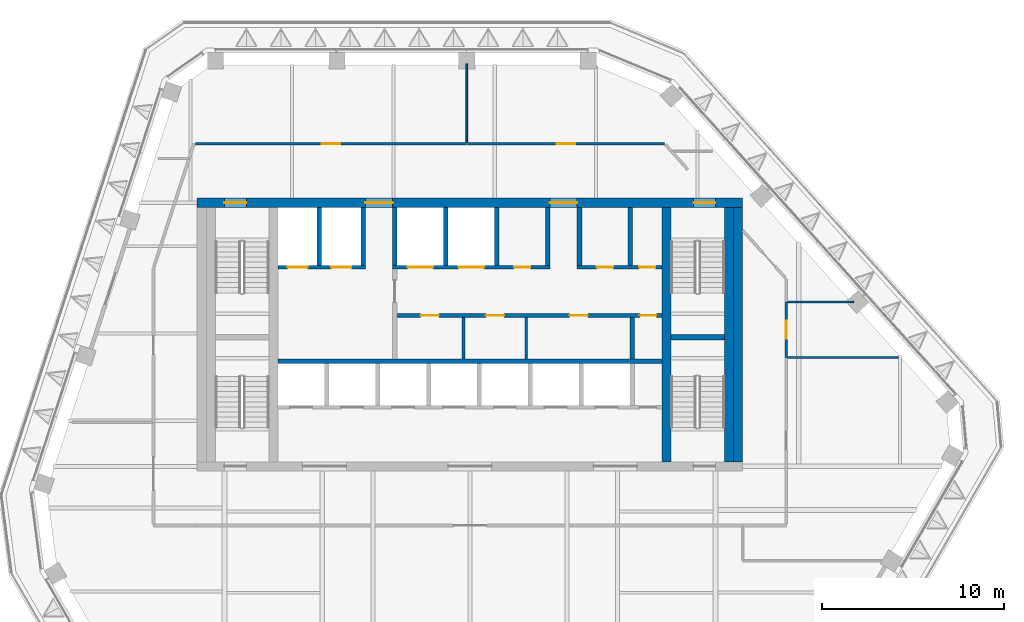
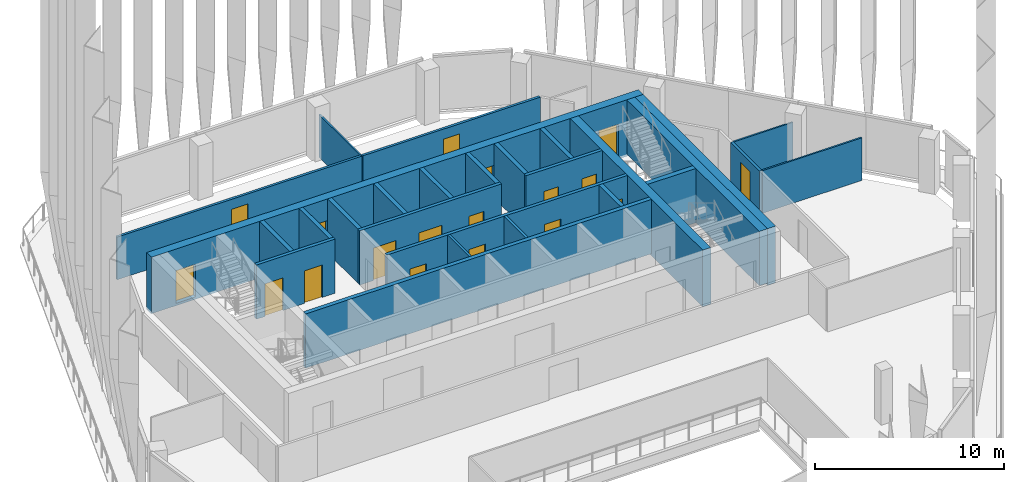
# One storey, part 9 of 21: 27 walls, 18 doors, 18 openings.
"""IFC4 building model written with IfcOpenShell, lengths in metres."""

from ifc_helpers import new_model, si_unit, direction, frame, frame_2d, origin, place, context, subcontext, project, spatial, rectangle, extrude, material, layer, layer_set, type_object, element, fill, save


model = new_model("IFC4")

# Units and contexts
model_context = context("Model", 3, precision=1e-05, world=origin(), true_north=direction((0.0, 1.0)))
body_context = subcontext(model_context, "Body", "Model", "MODEL_VIEW")
ifc_project = project(units=[si_unit("LENGTHUNIT", "METRE"), si_unit("AREAUNIT", "SQUARE_METRE"), si_unit("VOLUMEUNIT", "CUBIC_METRE"), si_unit("PLANEANGLEUNIT", "RADIAN"), si_unit("MASSUNIT", "GRAM", prefix="KILO")], contexts=[model_context])

# Site, building, storey
site_placement = place(None, origin())
site = spatial("IfcSite", under=ifc_project, at=site_placement, CompositionType="ELEMENT")
building_placement = place(site_placement, origin())
building = spatial("IfcBuilding", under=site, at=building_placement, Name="Isthmus Gate Tower", CompositionType="ELEMENT")
storey_placement = place(building_placement, frame((0.0, 0.0, 260.949951171875)))
storey = spatial("IfcBuildingStorey", under=building, at=storey_placement, Name="L66", CompositionType="ELEMENT", Elevation=260.949951171875)

# Wall, opening, door
ifc_material_1 = material(Name="Gypsum board on steel studs, fire-rated", Category="steel")
ifc_layer_1 = layer(ifc_material_1, 0.14990234375)
ifc_layer_set_1 = layer_set([ifc_layer_1], Name="CORRIDOR WALL 150 60 MIN")
wall_type_1 = type_object("IfcWallType", Name="CORRIDOR WALL 150 60 MIN", PredefinedType="PARTITIONING", material=ifc_layer_set_1)
wall_1_placement = place(storey_placement, frame((17.39990234375, 9.2900390625, 0.0), z_axis=(0.0, 0.0, 1.0), x_axis=(0.0, -1.0, 0.0)))
wall_1 = element("IfcWall", 1, at=wall_1_placement, inside=storey, type_object=wall_type_1, Name="L66 Corridor Wall 150 60 Min", PredefinedType="PARTITIONING", context=body_context, shape_type="SweptSolid", body=[
    extrude(rectangle(XDim=3.052978515625, YDim=0.14990234375, at=frame_2d((1.5263671875, 0.0))), origin(), (0.0, 0.0, 1.0), 2.750732421875),
])
opening_1_placement = place(wall_1_placement, frame((1.026611328125, 0.0, 0.0)))
opening_1 = element("IfcOpeningElement", 2, at=opening_1_placement, cuts=wall_1, Name="Opening DT-T6A-05", PredefinedType="OPENING", context=body_context, shape_type="SweptSolid", body=[
    extrude(rectangle(XDim=1.0, YDim=2.10009765625, at=frame_2d((0.5, 1.050048828125))), frame((0.0, 0.0849609375, 0.0), z_axis=(0.0, -1.0, 0.0), x_axis=(1.0, 0.0, 0.0)), (0.0, 0.0, 1.0), 0.169921875),
])
ifc_material_2 = material(Name="Solid core timber door leaf, fire-rated", Category="wood")
door_type_1 = type_object("IfcDoorType", Name="FIRE DOOR ROOM 1000 X 2100 60 MIN", OperationType="SINGLE_SWING_LEFT", PredefinedType="DOOR", material=ifc_material_2)
door_1_placement = place(opening_1_placement, origin())
door_1 = element("IfcDoor", 3, at=door_1_placement, inside=storey, type_object=door_type_1, Name="L66 room door", OperationType="SINGLE_SWING_RIGHT", OverallHeight=2.10009765625, OverallWidth=1.0, PredefinedType="DOOR", context=body_context, shape_type="SweptSolid", body=[
    extrude(rectangle(XDim=1.0, YDim=2.10009765625, at=frame_2d((0.5, 1.050048828125))), frame((0.0, 0.02490234375, 0.0), z_axis=(0.0, -1.0, 0.0), x_axis=(1.0, 0.0, 0.0)), (0.0, 0.0, 1.0), 0.050048828125),
])
fill(opening_1, door_1)

wall_2_placement = place(storey_placement, frame((-15.10302734375, 18.0, 0.0), z_axis=(0.0, 0.0, 1.0), x_axis=(1.0, 0.0, 0.0)))
wall_2 = element("IfcWall", 4, at=wall_2_placement, inside=storey, type_object=wall_type_1, Name="L66 Corridor Wall 150 60 Min", PredefinedType="PARTITIONING", context=body_context, shape_type="SweptSolid", body=[
    extrude(rectangle(XDim=14.927978515625, YDim=0.14990234375, at=frame_2d((7.4638671875, 0.0))), origin(), (0.0, 0.0, 1.0), 2.750732421875),
])
opening_2_placement = place(wall_2_placement, frame((6.964111328125, 0.0, 0.0)))
opening_2 = element("IfcOpeningElement", 5, at=opening_2_placement, cuts=wall_2, Name="Opening DT-T6A-01", PredefinedType="OPENING", context=body_context, shape_type="SweptSolid", body=[
    extrude(rectangle(XDim=1.0, YDim=2.10009765625, at=frame_2d((0.5, 1.050048828125))), frame((0.0, 0.0849609375, 0.0), z_axis=(0.0, -1.0, 0.0), x_axis=(1.0, 0.0, 0.0)), (0.0, 0.0, 1.0), 0.169921875),
])
door_2_placement = place(opening_2_placement, origin())
door_2 = element("IfcDoor", 6, at=door_2_placement, inside=storey, type_object=door_type_1, Name="L66 room door", OperationType="SINGLE_SWING_RIGHT", OverallHeight=2.10009765625, OverallWidth=1.0, PredefinedType="DOOR", context=body_context, shape_type="SweptSolid", body=[
    extrude(rectangle(XDim=1.0, YDim=2.10009765625, at=frame_2d((0.5, 1.050048828125))), frame((0.0, 0.02490234375, 0.0), z_axis=(0.0, -1.0, 0.0), x_axis=(1.0, 0.0, 0.0)), (0.0, 0.0, 1.0), 0.050048828125),
])
fill(opening_2, door_2)

wall_3_placement = place(storey_placement, frame((-0.125, 18.0, 0.0), z_axis=(0.0, 0.0, 1.0), x_axis=(1.0, 0.0, 0.0)))
wall_3 = element("IfcWall", 7, at=wall_3_placement, inside=storey, type_object=wall_type_1, Name="L66 Corridor Wall 150 60 Min", PredefinedType="PARTITIONING", context=body_context, shape_type="SweptSolid", body=[
    extrude(rectangle(XDim=10.826904296875, YDim=0.14990234375, at=frame_2d((5.41357421875, 0.0))), origin(), (0.0, 0.0, 1.0), 2.750732421875),
])
opening_3_placement = place(wall_3_placement, frame((4.91357421875, 0.0, 0.0)))
opening_3 = element("IfcOpeningElement", 8, at=opening_3_placement, cuts=wall_3, Name="Opening DT-T6A-02", PredefinedType="OPENING", context=body_context, shape_type="SweptSolid", body=[
    extrude(rectangle(XDim=1.0, YDim=2.10009765625, at=frame_2d((0.5, 1.050048828125))), frame((0.0, 0.0849609375, 0.0), z_axis=(0.0, -1.0, 0.0), x_axis=(1.0, 0.0, 0.0)), (0.0, 0.0, 1.0), 0.169921875),
])
door_3_placement = place(opening_3_placement, origin())
door_3 = element("IfcDoor", 9, at=door_3_placement, inside=storey, type_object=door_type_1, Name="L66 room door", OperationType="SINGLE_SWING_RIGHT", OverallHeight=2.10009765625, OverallWidth=1.0, PredefinedType="DOOR", context=body_context, shape_type="SweptSolid", body=[
    extrude(rectangle(XDim=1.0, YDim=2.10009765625, at=frame_2d((0.5, 1.050048828125))), frame((0.0, 0.02490234375, 0.0), z_axis=(0.0, -1.0, 0.0), x_axis=(1.0, 0.0, 0.0)), (0.0, 0.0, 1.0), 0.050048828125),
])
fill(opening_3, door_3)

# Wall
ifc_material_3 = material(Name="Concrete f'c 50 MPa", Category="concrete")
ifc_layer_2 = layer(ifc_material_3, 0.5)
ifc_layer_set_2 = layer_set([ifc_layer_2], Name="RC CORE SPINE WALL 500 F'C 50")
wall_type_2 = type_object("IfcWallType", Name="RC CORE SPINE WALL 500 F'C 50", PredefinedType="SOLIDWALL", material=ifc_layer_set_2)
wall_4_placement = place(storey_placement, frame((10.800048828125, 0.5, -0.14990234375), z_axis=(0.0, 0.0, 1.0), x_axis=(0.0, 1.0, 0.0)))
element("IfcWall", 10, at=wall_4_placement, inside=storey, type_object=wall_type_2, Name="str-corewall-L66-SPE", PredefinedType="SOLIDWALL", context=body_context, shape_type="SweptSolid", body=[
    extrude(rectangle(XDim=14.0, YDim=0.5, at=frame_2d((7.0, 0.0))), origin(), (0.0, 0.0, 1.0), 3.64990234375),
])

# Wall, openings, doors
ifc_material_4 = material(Name="Concrete f'c 50 MPa", Category="concrete")
ifc_layer_3 = layer(ifc_material_4, 0.5)
ifc_layer_set_3 = layer_set([ifc_layer_3], Name="RC CORE WALL 500 F'C 50")
wall_type_3 = type_object("IfcWallType", Name="RC CORE WALL 500 F'C 50", PredefinedType="SOLIDWALL", material=ifc_layer_set_3)
wall_5_placement = place(storey_placement, frame((-15.0, 14.75, -0.14990234375), z_axis=(0.0, 0.0, 1.0), x_axis=(1.0, 0.0, 0.0)))
wall_5 = element("IfcWall", 11, at=wall_5_placement, inside=storey, type_object=wall_type_3, Name="str-corewall-L66-N", PredefinedType="SOLIDWALL", context=body_context, shape_type="SweptSolid", body=[
    extrude(rectangle(XDim=30.0, YDim=0.5, at=frame_2d((15.0, 0.0))), origin(), (0.0, 0.0, 1.0), 3.64990234375),
])
opening_4_placement = place(wall_5_placement, frame((9.25, 0.0, 0.14990234375)))
opening_4 = element("IfcOpeningElement", 12, at=opening_4_placement, cuts=wall_5, Name="Opening DC-A20-13", PredefinedType="OPENING", context=body_context, shape_type="SweptSolid", body=[
    extrude(rectangle(XDim=1.5, YDim=2.10009765625, at=frame_2d((0.75, 1.050048828125))), frame((0.0, 0.260009765625, 0.0), z_axis=(0.0, -1.0, 0.0), x_axis=(1.0, 0.0, 0.0)), (0.0, 0.0, 1.0), 0.52001953125),
])
opening_5_placement = place(wall_5_placement, frame((19.39990234375, 0.0, 0.14990234375)))
opening_5 = element("IfcOpeningElement", 13, at=opening_5_placement, cuts=wall_5, Name="Opening DC-A20-14", PredefinedType="OPENING", context=body_context, shape_type="SweptSolid", body=[
    extrude(rectangle(XDim=1.5, YDim=2.10009765625, at=frame_2d((0.75, 1.050048828125))), frame((0.0, 0.260009765625, 0.0), z_axis=(0.0, -1.0, 0.0), x_axis=(1.0, 0.0, 0.0)), (0.0, 0.0, 1.0), 0.52001953125),
])
opening_6_placement = place(wall_5_placement, frame((1.5, 0.0, 0.14990234375)))
opening_6 = element("IfcOpeningElement", 14, at=opening_6_placement, cuts=wall_5, Name="Opening DC-A20-15", PredefinedType="OPENING", context=body_context, shape_type="SweptSolid", body=[
    extrude(rectangle(XDim=1.199951171875, YDim=2.10009765625, at=frame_2d((0.60009765625, 1.050048828125))), frame((0.0, 0.260009765625, 0.0), z_axis=(0.0, -1.0, 0.0), x_axis=(1.0, 0.0, 0.0)), (0.0, 0.0, 1.0), 0.52001953125),
])
opening_7_placement = place(wall_5_placement, frame((27.300048828125, 0.0, 0.14990234375)))
opening_7 = element("IfcOpeningElement", 15, at=opening_7_placement, cuts=wall_5, Name="Opening DC-A20-16", PredefinedType="OPENING", context=body_context, shape_type="SweptSolid", body=[
    extrude(rectangle(XDim=1.199951171875, YDim=2.10009765625, at=frame_2d((0.60009765625, 1.050048828125))), frame((0.0, 0.260009765625, 0.0), z_axis=(0.0, -1.0, 0.0), x_axis=(1.0, 0.0, 0.0)), (0.0, 0.0, 1.0), 0.52001953125),
])
ifc_material_5 = material(Name="Steel door leaf, fire-rated", Category="steel")
door_type_2 = type_object("IfcDoorType", Name="LOBBY FIRE DOOR 1500 X 2100 60 MIN", OperationType="DOUBLE_DOOR_SINGLE_SWING", PredefinedType="DOOR", material=ifc_material_5)
door_4_placement = place(opening_5_placement, origin())
door_4 = element("IfcDoor", 16, at=door_4_placement, inside=storey, type_object=door_type_2, Name="Lobby Door PN-E", OperationType="DOUBLE_DOOR_SINGLE_SWING", OverallHeight=2.10009765625, OverallWidth=1.5, PredefinedType="DOOR", context=body_context, shape_type="SweptSolid", body=[
    extrude(rectangle(XDim=1.5, YDim=2.10009765625, at=frame_2d((0.75, 1.050048828125))), frame((0.0, 0.02490234375, 0.0), z_axis=(0.0, -1.0, 0.0), x_axis=(1.0, 0.0, 0.0)), (0.0, 0.0, 1.0), 0.050048828125),
])
fill(opening_5, door_4)
ifc_material_6 = material(Name="Steel door leaf, fire-rated", Category="steel")
door_type_3 = type_object("IfcDoorType", Name="LOBBY FIRE DOOR 1500 X 2100 90 MIN", OperationType="DOUBLE_DOOR_SINGLE_SWING", PredefinedType="DOOR", material=ifc_material_6)
door_5_placement = place(opening_4_placement, origin())
door_5 = element("IfcDoor", 17, at=door_5_placement, inside=storey, type_object=door_type_3, Name="Lobby Door PN-W", OperationType="DOUBLE_DOOR_SINGLE_SWING", OverallHeight=2.10009765625, OverallWidth=1.5, PredefinedType="DOOR", context=body_context, shape_type="SweptSolid", body=[
    extrude(rectangle(XDim=1.5, YDim=2.10009765625, at=frame_2d((0.75, 1.050048828125))), frame((0.0, 0.02490234375, 0.0), z_axis=(0.0, -1.0, 0.0), x_axis=(1.0, 0.0, 0.0)), (0.0, 0.0, 1.0), 0.050048828125),
])
fill(opening_4, door_5)
ifc_material_7 = material(Name="Steel door leaf, fire-rated", Category="steel")
door_type_4 = type_object("IfcDoorType", Name="STAIR FIRE DOOR 1200 X 2100 90 MIN", OperationType="SINGLE_SWING_LEFT", PredefinedType="DOOR", material=ifc_material_7)
door_6_placement = place(opening_6_placement, origin())
door_6 = element("IfcDoor", 18, at=door_6_placement, inside=storey, type_object=door_type_4, Name="Exit Stair 1 Door", OperationType="SINGLE_SWING_RIGHT", OverallHeight=2.10009765625, OverallWidth=1.199951171875, PredefinedType="DOOR", context=body_context, shape_type="SweptSolid", body=[
    extrude(rectangle(XDim=1.199951171875, YDim=2.10009765625, at=frame_2d((0.60009765625, 1.050048828125))), frame((0.0, 0.02490234375, 0.0), z_axis=(0.0, -1.0, 0.0), x_axis=(1.0, 0.0, 0.0)), (0.0, 0.0, 1.0), 0.050048828125),
])
fill(opening_6, door_6)
door_7_placement = place(opening_7_placement, origin())
door_7 = element("IfcDoor", 19, at=door_7_placement, inside=storey, type_object=door_type_4, Name="Exit Stair 2 Door", OperationType="SINGLE_SWING_LEFT", OverallHeight=2.10009765625, OverallWidth=1.199951171875, PredefinedType="DOOR", context=body_context, shape_type="SweptSolid", body=[
    extrude(rectangle(XDim=1.199951171875, YDim=2.10009765625, at=frame_2d((0.60009765625, 1.050048828125))), frame((0.0, 0.02490234375, 0.0), z_axis=(0.0, -1.0, 0.0), x_axis=(1.0, 0.0, 0.0)), (0.0, 0.0, 1.0), 0.050048828125),
])
fill(opening_7, door_7)

# Walls
wall_6_placement = place(storey_placement, frame((14.75, 0.5, -0.14990234375), z_axis=(0.0, 0.0, 1.0), x_axis=(0.0, 1.0, 0.0)))
element("IfcWall", 20, at=wall_6_placement, inside=storey, type_object=wall_type_3, Name="str-corewall-L66-E", PredefinedType="SOLIDWALL", context=body_context, shape_type="SweptSolid", body=[
    extrude(rectangle(XDim=14.0, YDim=0.5, at=frame_2d((7.0, 0.0))), origin(), (0.0, 0.0, 1.0), 3.64990234375),
])
ifc_material_8 = material(Name="Gypsum board on steel studs, fire-rated", Category="steel")
ifc_layer_4 = layer(ifc_material_8, 0.10009765625)
ifc_layer_set_4 = layer_set([ifc_layer_4], Name="ROOM PARTITION 100 30 MIN")
wall_type_4 = type_object("IfcWallType", Name="ROOM PARTITION 100 30 MIN", PredefinedType="PARTITIONING", material=ifc_layer_set_4)
wall_7_placement = place(storey_placement, frame((-0.175048828125, 18.074951171875, 0.0), z_axis=(0.0, 0.0, 1.0), x_axis=(0.0, 1.0, 0.0)))
element("IfcWall", 21, at=wall_7_placement, inside=storey, type_object=wall_type_4, Name="L66 Room Partition 100 30 Min", PredefinedType="PARTITIONING", context=body_context, shape_type="SweptSolid", body=[
    extrude(rectangle(XDim=4.324951171875, YDim=0.10009765625, at=frame_2d((2.16259765625, 0.0))), origin(), (0.0, 0.0, 1.0), 2.750732421875),
])
wall_8_placement = place(storey_placement, frame((17.47509765625, 9.2900390625, 0.0), z_axis=(0.0, 0.0, 1.0), x_axis=(1.0, 0.0, 0.0)))
element("IfcWall", 22, at=wall_8_placement, inside=storey, type_object=wall_type_4, Name="L66 Room Partition 100 30 Min", PredefinedType="PARTITIONING", context=body_context, shape_type="SweptSolid", body=[
    extrude(rectangle(XDim=3.6259765625, YDim=0.10009765625, at=frame_2d((1.81298828125, 0.0))), origin(), (0.0, 0.0, 1.0), 2.750732421875),
])
wall_9_placement = place(storey_placement, frame((17.47509765625, 6.237060546875, 0.0), z_axis=(0.0, 0.0, 1.0), x_axis=(1.0, 0.0, 0.0)))
element("IfcWall", 23, at=wall_9_placement, inside=storey, type_object=wall_type_4, Name="L66 Room Partition 100 30 Min", PredefinedType="PARTITIONING", context=body_context, shape_type="SweptSolid", body=[
    extrude(rectangle(XDim=6.074951171875, YDim=0.10009765625, at=frame_2d((3.03759765625, 0.0))), origin(), (0.0, 0.0, 1.0), 2.750732421875),
])
ifc_material_9 = material(Name="Gypsum board on steel studs, fire-rated", Category="steel")
ifc_layer_5 = layer(ifc_material_9, 0.14990234375)
ifc_layer_set_5 = layer_set([ifc_layer_5], Name="ROOM PARTITION 150 60 MIN")
wall_type_5 = type_object("IfcWallType", Name="ROOM PARTITION 150 60 MIN", PredefinedType="PARTITIONING", material=ifc_layer_set_5)
for number, where, z_axis, x_axis, name in (
    (24, (-0.35009765625, 6.14990234375, 0.0), (0.0, 0.0, 1.0), (0.0, 1.0, 0.0), "L66 ROOM PARTITION 150 60 MIN"),
    (25, (3.10009765625, 6.14990234375, 0.0), (0.0, 0.0, 1.0), (0.0, 1.0, 0.0), "L66 ROOM PARTITION 150 60 MIN"),
):
    element("IfcWall", number, at=place(storey_placement, frame(where, z_axis=z_axis, x_axis=x_axis)), inside=storey, type_object=wall_type_5, Name=name, PredefinedType="PARTITIONING", context=body_context, shape_type="SweptSolid", body=[
        extrude(rectangle(XDim=2.300048828125, YDim=0.14990234375, at=frame_2d((1.14990234375, 0.0))), origin(), (0.0, 0.0, 1.0), 3.5),
    ])

# Wall, openings, doors
ifc_material_10 = material(Name="Fire-rated blockwork masonry, 15 MPa", Category="masonry")
ifc_layer_6 = layer(ifc_material_10, 0.199951171875)
ifc_layer_set_6 = layer_set([ifc_layer_6], Name="SHAFT FRONT WALL 200 120 MIN")
wall_type_6 = type_object("IfcWallType", Name="SHAFT FRONT WALL 200 120 MIN", PredefinedType="PARTITIONING", material=ifc_layer_set_6)
wall_10_placement = place(storey_placement, frame((-4.125, 8.550048828125, 0.0), z_axis=(0.0, 0.0, 1.0), x_axis=(1.0, 0.0, 0.0)))
wall_10 = element("IfcWall", 26, at=wall_10_placement, inside=storey, type_object=wall_type_6, Name="L66 SHAFT FRONT WALL 200 120 MIN", PredefinedType="PARTITIONING", context=body_context, shape_type="SweptSolid", body=[
    extrude(rectangle(XDim=14.675048828125, YDim=0.199951171875, at=frame_2d((7.33740234375, 0.0))), origin(), (0.0, 0.0, 1.0), 3.5),
])
opening_8_placement = place(wall_10_placement, frame((1.41259765625, 0.0, 0.0)))
opening_8 = element("IfcOpeningElement", 27, at=opening_8_placement, cuts=wall_10, Name="Opening DC-A20-03", PredefinedType="OPENING", context=body_context, shape_type="SweptSolid", body=[
    extrude(rectangle(XDim=1.0, YDim=2.10009765625, at=frame_2d((0.5, 1.050048828125))), frame((0.0, 0.10986328125, 0.0), z_axis=(0.0, -1.0, 0.0), x_axis=(1.0, 0.0, 0.0)), (0.0, 0.0, 1.0), 0.219970703125),
])
opening_9_placement = place(wall_10_placement, frame((5.0, 0.0, 0.0)))
opening_9 = element("IfcOpeningElement", 28, at=opening_9_placement, cuts=wall_10, Name="Opening DC-A20-04", PredefinedType="OPENING", context=body_context, shape_type="SweptSolid", body=[
    extrude(rectangle(XDim=1.0, YDim=2.10009765625, at=frame_2d((0.5, 1.050048828125))), frame((0.0, 0.10986328125, 0.0), z_axis=(0.0, -1.0, 0.0), x_axis=(1.0, 0.0, 0.0)), (0.0, 0.0, 1.0), 0.219970703125),
])
opening_10_placement = place(wall_10_placement, frame((9.612548828125, 0.0, 0.0)))
opening_10 = element("IfcOpeningElement", 29, at=opening_10_placement, cuts=wall_10, Name="Opening DC-A20-05", PredefinedType="OPENING", context=body_context, shape_type="SweptSolid", body=[
    extrude(rectangle(XDim=1.0, YDim=2.10009765625, at=frame_2d((0.5, 1.050048828125))), frame((0.0, 0.10986328125, 0.0), z_axis=(0.0, -1.0, 0.0), x_axis=(1.0, 0.0, 0.0)), (0.0, 0.0, 1.0), 0.219970703125),
])
opening_11_placement = place(wall_10_placement, frame((13.47509765625, 0.0, 0.0)))
opening_11 = element("IfcOpeningElement", 30, at=opening_11_placement, cuts=wall_10, Name="Opening DC-A20-06", PredefinedType="OPENING", context=body_context, shape_type="SweptSolid", body=[
    extrude(rectangle(XDim=0.89990234375, YDim=2.10009765625, at=frame_2d((0.449951171875, 1.050048828125))), frame((0.0, 0.10986328125, 0.0), z_axis=(0.0, -1.0, 0.0), x_axis=(1.0, 0.0, 0.0)), (0.0, 0.0, 1.0), 0.219970703125),
])
ifc_material_11 = material(Name="Steel door leaf, fire-rated", Category="steel")
door_type_5 = type_object("IfcDoorType", Name="FIRE DOOR 1000 X 2100 60 MIN", OperationType="SINGLE_SWING_LEFT", PredefinedType="DOOR", material=ifc_material_11)
door_8_placement = place(opening_8_placement, origin())
door_8 = element("IfcDoor", 31, at=door_8_placement, inside=storey, type_object=door_type_5, Name="WC Men Door", OperationType="SINGLE_SWING_LEFT", OverallHeight=2.10009765625, OverallWidth=1.0, PredefinedType="DOOR", context=body_context, shape_type="SweptSolid", body=[
    extrude(rectangle(XDim=1.0, YDim=2.10009765625, at=frame_2d((0.5, 1.050048828125))), frame((0.0, 0.02490234375, 0.0), z_axis=(0.0, -1.0, 0.0), x_axis=(1.0, 0.0, 0.0)), (0.0, 0.0, 1.0), 0.050048828125),
])
fill(opening_8, door_8)
door_9_placement = place(opening_9_placement, origin())
door_9 = element("IfcDoor", 32, at=door_9_placement, inside=storey, type_object=door_type_5, Name="WC Women Door", OperationType="SINGLE_SWING_RIGHT", OverallHeight=2.10009765625, OverallWidth=1.0, PredefinedType="DOOR", context=body_context, shape_type="SweptSolid", body=[
    extrude(rectangle(XDim=1.0, YDim=2.10009765625, at=frame_2d((0.5, 1.050048828125))), frame((0.0, 0.02490234375, 0.0), z_axis=(0.0, -1.0, 0.0), x_axis=(1.0, 0.0, 0.0)), (0.0, 0.0, 1.0), 0.050048828125),
])
fill(opening_9, door_9)
door_10_placement = place(opening_10_placement, origin())
door_10 = element("IfcDoor", 33, at=door_10_placement, inside=storey, type_object=door_type_5, Name="Accessible WC Door", OperationType="SINGLE_SWING_LEFT", OverallHeight=2.10009765625, OverallWidth=1.0, PredefinedType="DOOR", context=body_context, shape_type="SweptSolid", body=[
    extrude(rectangle(XDim=1.0, YDim=2.10009765625, at=frame_2d((0.5, 1.050048828125))), frame((0.0, 0.02490234375, 0.0), z_axis=(0.0, -1.0, 0.0), x_axis=(1.0, 0.0, 0.0)), (0.0, 0.0, 1.0), 0.050048828125),
])
fill(opening_10, door_10)
ifc_material_12 = material(Name="Steel door leaf, fire-rated", Category="steel")
door_type_6 = type_object("IfcDoorType", Name="RISER FIRE DOOR 900 X 2100 90 MIN", OperationType="SINGLE_SWING_LEFT", PredefinedType="DOOR", material=ifc_material_12)
door_11_placement = place(opening_11_placement, origin())
door_11 = element("IfcDoor", 34, at=door_11_placement, inside=storey, type_object=door_type_6, Name="Riser Door", OperationType="SINGLE_SWING_RIGHT", OverallHeight=2.10009765625, OverallWidth=0.89990234375, PredefinedType="DOOR", context=body_context, shape_type="SweptSolid", body=[
    extrude(rectangle(XDim=0.89990234375, YDim=2.10009765625, at=frame_2d((0.449951171875, 1.050048828125))), frame((0.0, 0.02490234375, 0.0), z_axis=(0.0, -1.0, 0.0), x_axis=(1.0, 0.0, 0.0)), (0.0, 0.0, 1.0), 0.050048828125),
])
fill(opening_11, door_11)

wall_11_placement = place(storey_placement, frame((-10.550048828125, 11.199951171875, 0.0), z_axis=(0.0, 0.0, 1.0), x_axis=(1.0, 0.0, 0.0)))
wall_11 = element("IfcWall", 35, at=wall_11_placement, inside=storey, type_object=wall_type_6, Name="L66 SHAFT FRONT WALL 200 120 MIN", PredefinedType="PARTITIONING", context=body_context, shape_type="SweptSolid", body=[
    extrude(rectangle(XDim=4.800048828125, YDim=0.199951171875, at=frame_2d((2.39990234375, 0.0))), origin(), (0.0, 0.0, 1.0), 3.5),
])
opening_12_placement = place(wall_11_placement, frame((0.52490234375, 0.0, 0.0)))
opening_12 = element("IfcOpeningElement", 36, at=opening_12_placement, cuts=wall_11, Name="Opening LD-LF1", PredefinedType="OPENING", context=body_context, shape_type="SweptSolid", body=[
    extrude(rectangle(XDim=1.10009765625, YDim=2.10009765625, at=frame_2d((0.550048828125, 1.050048828125))), frame((0.0, 0.10986328125, 0.0), z_axis=(0.0, -1.0, 0.0), x_axis=(1.0, 0.0, 0.0)), (0.0, 0.0, 1.0), 0.219970703125),
])
opening_13_placement = place(wall_11_placement, frame((2.925048828125, 0.0, 0.0)))
opening_13 = element("IfcOpeningElement", 37, at=opening_13_placement, cuts=wall_11, Name="Opening LD-LF2", PredefinedType="OPENING", context=body_context, shape_type="SweptSolid", body=[
    extrude(rectangle(XDim=1.10009765625, YDim=2.10009765625, at=frame_2d((0.550048828125, 1.050048828125))), frame((0.0, 0.10986328125, 0.0), z_axis=(0.0, -1.0, 0.0), x_axis=(1.0, 0.0, 0.0)), (0.0, 0.0, 1.0), 0.219970703125),
])
ifc_material_13 = material(Name="Stainless steel sliding leaf", Category="steel")
door_type_7 = type_object("IfcDoorType", Name="LIFT LANDING FIRE DOOR 1100 X 2100 90 MIN", OperationType="DOUBLE_DOOR_SLIDING", PredefinedType="DOOR", material=ifc_material_13)
door_12_placement = place(opening_12_placement, origin())
door_12 = element("IfcDoor", 38, at=door_12_placement, inside=storey, type_object=door_type_7, Name="Lift Landing Door LF1", OperationType="DOUBLE_DOOR_SLIDING", OverallHeight=2.10009765625, OverallWidth=1.10009765625, PredefinedType="DOOR", context=body_context, shape_type="SweptSolid", body=[
    extrude(rectangle(XDim=1.10009765625, YDim=2.10009765625, at=frame_2d((0.550048828125, 1.050048828125))), frame((0.0, 0.02490234375, 0.0), z_axis=(0.0, -1.0, 0.0), x_axis=(1.0, 0.0, 0.0)), (0.0, 0.0, 1.0), 0.050048828125),
])
fill(opening_12, door_12)
door_13_placement = place(opening_13_placement, origin())
door_13 = element("IfcDoor", 39, at=door_13_placement, inside=storey, type_object=door_type_7, Name="Lift Landing Door LF2", OperationType="DOUBLE_DOOR_SLIDING", OverallHeight=2.10009765625, OverallWidth=1.10009765625, PredefinedType="DOOR", context=body_context, shape_type="SweptSolid", body=[
    extrude(rectangle(XDim=1.10009765625, YDim=2.10009765625, at=frame_2d((0.550048828125, 1.050048828125))), frame((0.0, 0.02490234375, 0.0), z_axis=(0.0, -1.0, 0.0), x_axis=(1.0, 0.0, 0.0)), (0.0, 0.0, 1.0), 0.050048828125),
])
fill(opening_13, door_13)

wall_12_placement = place(storey_placement, frame((-4.25, 11.199951171875, 0.0), z_axis=(0.0, 0.0, 1.0), x_axis=(1.0, 0.0, 0.0)))
wall_12 = element("IfcWall", 40, at=wall_12_placement, inside=storey, type_object=wall_type_6, Name="L66 SHAFT FRONT WALL 200 120 MIN", PredefinedType="PARTITIONING", context=body_context, shape_type="SweptSolid", body=[
    extrude(rectangle(XDim=8.64990234375, YDim=0.199951171875, at=frame_2d((4.324951171875, 0.0))), origin(), (0.0, 0.0, 1.0), 3.5),
])
opening_14_placement = place(wall_12_placement, frame((0.824951171875, 0.0, 0.0)))
opening_14 = element("IfcOpeningElement", 41, at=opening_14_placement, cuts=wall_12, Name="Opening LD-LV1", PredefinedType="OPENING", context=body_context, shape_type="SweptSolid", body=[
    extrude(rectangle(XDim=1.39990234375, YDim=2.10009765625, at=frame_2d((0.699951171875, 1.050048828125))), frame((0.0, 0.10986328125, 0.0), z_axis=(0.0, -1.0, 0.0), x_axis=(1.0, 0.0, 0.0)), (0.0, 0.0, 1.0), 0.219970703125),
])
opening_15_placement = place(wall_12_placement, frame((3.625, 0.0, 0.0)))
opening_15 = element("IfcOpeningElement", 42, at=opening_15_placement, cuts=wall_12, Name="Opening LD-LV2", PredefinedType="OPENING", context=body_context, shape_type="SweptSolid", body=[
    extrude(rectangle(XDim=1.39990234375, YDim=2.10009765625, at=frame_2d((0.699951171875, 1.050048828125))), frame((0.0, 0.10986328125, 0.0), z_axis=(0.0, -1.0, 0.0), x_axis=(1.0, 0.0, 0.0)), (0.0, 0.0, 1.0), 0.219970703125),
])
opening_16_placement = place(wall_12_placement, frame((6.675048828125, 0.0, 0.0)))
opening_16 = element("IfcOpeningElement", 43, at=opening_16_placement, cuts=wall_12, Name="Opening DC-A20-07", PredefinedType="OPENING", context=body_context, shape_type="SweptSolid", body=[
    extrude(rectangle(XDim=0.89990234375, YDim=2.10009765625, at=frame_2d((0.449951171875, 1.050048828125))), frame((0.0, 0.10986328125, 0.0), z_axis=(0.0, -1.0, 0.0), x_axis=(1.0, 0.0, 0.0)), (0.0, 0.0, 1.0), 0.219970703125),
])
ifc_material_14 = material(Name="Steel door leaf, fire-rated", Category="steel")
door_type_8 = type_object("IfcDoorType", Name="FIRE DOOR 900 X 2100 60 MIN", OperationType="SINGLE_SWING_LEFT", PredefinedType="DOOR", material=ifc_material_14)
door_14_placement = place(opening_16_placement, origin())
door_14 = element("IfcDoor", 44, at=door_14_placement, inside=storey, type_object=door_type_8, Name="Janitor Store Door", OperationType="SINGLE_SWING_LEFT", OverallHeight=2.10009765625, OverallWidth=0.89990234375, PredefinedType="DOOR", context=body_context, shape_type="SweptSolid", body=[
    extrude(rectangle(XDim=0.89990234375, YDim=2.10009765625, at=frame_2d((0.449951171875, 1.050048828125))), frame((0.0, 0.02490234375, 0.0), z_axis=(0.0, -1.0, 0.0), x_axis=(1.0, 0.0, 0.0)), (0.0, 0.0, 1.0), 0.050048828125),
])
fill(opening_16, door_14)
ifc_material_15 = material(Name="Stainless steel sliding leaf", Category="steel")
door_type_9 = type_object("IfcDoorType", Name="LIFT LANDING FIRE DOOR 1400 X 2100 90 MIN", OperationType="DOUBLE_DOOR_SLIDING", PredefinedType="DOOR", material=ifc_material_15)
door_15_placement = place(opening_14_placement, origin())
door_15 = element("IfcDoor", 45, at=door_15_placement, inside=storey, type_object=door_type_9, Name="Lift Landing Door LV1", OperationType="DOUBLE_DOOR_SLIDING", OverallHeight=2.10009765625, OverallWidth=1.39990234375, PredefinedType="DOOR", context=body_context, shape_type="SweptSolid", body=[
    extrude(rectangle(XDim=1.39990234375, YDim=2.10009765625, at=frame_2d((0.699951171875, 1.050048828125))), frame((0.0, 0.02490234375, 0.0), z_axis=(0.0, -1.0, 0.0), x_axis=(1.0, 0.0, 0.0)), (0.0, 0.0, 1.0), 0.050048828125),
])
fill(opening_14, door_15)
door_16_placement = place(opening_15_placement, origin())
door_16 = element("IfcDoor", 46, at=door_16_placement, inside=storey, type_object=door_type_9, Name="Lift Landing Door LV2", OperationType="DOUBLE_DOOR_SLIDING", OverallHeight=2.10009765625, OverallWidth=1.39990234375, PredefinedType="DOOR", context=body_context, shape_type="SweptSolid", body=[
    extrude(rectangle(XDim=1.39990234375, YDim=2.10009765625, at=frame_2d((0.699951171875, 1.050048828125))), frame((0.0, 0.02490234375, 0.0), z_axis=(0.0, -1.0, 0.0), x_axis=(1.0, 0.0, 0.0)), (0.0, 0.0, 1.0), 0.050048828125),
])
fill(opening_15, door_16)

wall_13_placement = place(storey_placement, frame((5.89990234375, 11.199951171875, 0.0), z_axis=(0.0, 0.0, 1.0), x_axis=(1.0, 0.0, 0.0)))
wall_13 = element("IfcWall", 47, at=wall_13_placement, inside=storey, type_object=wall_type_6, Name="L66 SHAFT FRONT WALL 200 120 MIN", PredefinedType="PARTITIONING", context=body_context, shape_type="SweptSolid", body=[
    extrude(rectangle(XDim=4.650146484375, YDim=0.199951171875, at=frame_2d((2.3251953125, 0.0))), origin(), (0.0, 0.0, 1.0), 3.5),
])
opening_17_placement = place(wall_13_placement, frame((1.074951171875, 0.0, 0.0)))
opening_17 = element("IfcOpeningElement", 48, at=opening_17_placement, cuts=wall_13, Name="Opening DC-A20-08", PredefinedType="OPENING", context=body_context, shape_type="SweptSolid", body=[
    extrude(rectangle(XDim=0.89990234375, YDim=2.10009765625, at=frame_2d((0.449951171875, 1.050048828125))), frame((0.0, 0.10986328125, 0.0), z_axis=(0.0, -1.0, 0.0), x_axis=(1.0, 0.0, 0.0)), (0.0, 0.0, 1.0), 0.219970703125),
])
opening_18_placement = place(wall_13_placement, frame((3.39990234375, 0.0, 0.0)))
opening_18 = element("IfcOpeningElement", 49, at=opening_18_placement, cuts=wall_13, Name="Opening DC-A20-09", PredefinedType="OPENING", context=body_context, shape_type="SweptSolid", body=[
    extrude(rectangle(XDim=0.89990234375, YDim=2.10009765625, at=frame_2d((0.449951171875, 1.050048828125))), frame((0.0, 0.10986328125, 0.0), z_axis=(0.0, -1.0, 0.0), x_axis=(1.0, 0.0, 0.0)), (0.0, 0.0, 1.0), 0.219970703125),
])
door_17_placement = place(opening_17_placement, origin())
door_17 = element("IfcDoor", 50, at=door_17_placement, inside=storey, type_object=door_type_8, Name="IT Room Door", OperationType="SINGLE_SWING_RIGHT", OverallHeight=2.10009765625, OverallWidth=0.89990234375, PredefinedType="DOOR", context=body_context, shape_type="SweptSolid", body=[
    extrude(rectangle(XDim=0.89990234375, YDim=2.10009765625, at=frame_2d((0.449951171875, 1.050048828125))), frame((0.0, 0.02490234375, 0.0), z_axis=(0.0, -1.0, 0.0), x_axis=(1.0, 0.0, 0.0)), (0.0, 0.0, 1.0), 0.050048828125),
])
fill(opening_17, door_17)
door_18_placement = place(opening_18_placement, origin())
door_18 = element("IfcDoor", 51, at=door_18_placement, inside=storey, type_object=door_type_6, Name="Riser Door", OperationType="SINGLE_SWING_LEFT", OverallHeight=2.10009765625, OverallWidth=0.89990234375, PredefinedType="DOOR", context=body_context, shape_type="SweptSolid", body=[
    extrude(rectangle(XDim=0.89990234375, YDim=2.10009765625, at=frame_2d((0.449951171875, 1.050048828125))), frame((0.0, 0.02490234375, 0.0), z_axis=(0.0, -1.0, 0.0), x_axis=(1.0, 0.0, 0.0)), (0.0, 0.0, 1.0), 0.050048828125),
])
fill(opening_18, door_18)

# Walls
ifc_material_16 = material(Name="Fire-rated blockwork masonry, 15 MPa", Category="masonry")
ifc_layer_7 = layer(ifc_material_16, 0.25)
ifc_layer_set_7 = layer_set([ifc_layer_7], Name="SHAFT WALL 250 120 MIN")
wall_type_7 = type_object("IfcWallType", Name="SHAFT WALL 250 120 MIN", PredefinedType="PARTITIONING", material=ifc_layer_set_7)
wall_14_placement = place(storey_placement, frame((-10.550048828125, 6.02490234375, 0.0), z_axis=(0.0, 0.0, 1.0), x_axis=(1.0, 0.0, 0.0)))
element("IfcWall", 52, at=wall_14_placement, inside=storey, type_object=wall_type_7, Name="L66 SHAFT WALL 250 120 MIN", PredefinedType="PARTITIONING", context=body_context, shape_type="SweptSolid", body=[
    extrude(rectangle(XDim=21.10009765625, YDim=0.25, at=frame_2d((10.550048828125, 0.0))), origin(), (0.0, 0.0, 1.0), 3.5),
])
wall_15_placement = place(storey_placement, frame((8.925048828125, 6.14990234375, 0.0), z_axis=(0.0, 0.0, 1.0), x_axis=(0.0, 1.0, 0.0)))
element("IfcWall", 53, at=wall_15_placement, inside=storey, type_object=wall_type_7, Name="L66 SHAFT WALL 250 120 MIN", PredefinedType="PARTITIONING", context=body_context, shape_type="SweptSolid", body=[
    extrude(rectangle(XDim=2.300048828125, YDim=0.25, at=frame_2d((1.14990234375, 0.0))), origin(), (0.0, 0.0, 1.0), 3.5),
])
for number, where, z_axis, x_axis, name in (
    (54, (-8.27490234375, 11.300048828125, 0.0), (0.0, 0.0, 1.0), (0.0, 1.0, 0.0), "L66 SHAFT WALL 250 120 MIN"),
    (55, (-5.875, 11.300048828125, 0.0), (0.0, 0.0, 1.0), (0.0, 1.0, 0.0), "L66 SHAFT WALL 250 120 MIN"),
    (56, (-4.125, 11.300048828125, 0.0), (0.0, 0.0, 1.0), (0.0, 1.0, 0.0), "L66 SHAFT WALL 250 120 MIN"),
    (57, (-1.324951171875, 11.300048828125, 0.0), (0.0, 0.0, 1.0), (0.0, 1.0, 0.0), "L66 SHAFT WALL 250 120 MIN"),
    (58, (1.47509765625, 11.300048828125, 0.0), (0.0, 0.0, 1.0), (0.0, 1.0, 0.0), "L66 SHAFT WALL 250 120 MIN"),
    (59, (4.27490234375, 11.300048828125, 0.0), (0.0, 0.0, 1.0), (0.0, 1.0, 0.0), "L66 SHAFT WALL 250 120 MIN"),
    (60, (6.02490234375, 11.300048828125, 0.0), (0.0, 0.0, 1.0), (0.0, 1.0, 0.0), "L66 SHAFT WALL 250 120 MIN"),
    (61, (8.824951171875, 11.300048828125, 0.0), (0.0, 0.0, 1.0), (0.0, 1.0, 0.0), "L66 SHAFT WALL 250 120 MIN"),
):
    element("IfcWall", number, at=place(storey_placement, frame(where, z_axis=z_axis, x_axis=x_axis)), inside=storey, type_object=wall_type_7, Name=name, PredefinedType="PARTITIONING", context=body_context, shape_type="SweptSolid", body=[
        extrude(rectangle(XDim=3.199951171875, YDim=0.25, at=frame_2d((1.60009765625, 0.0))), origin(), (0.0, 0.0, 1.0), 3.5),
    ])
ifc_material_17 = material(Name="Concrete f'c 40 MPa", Category="concrete")
ifc_layer_8 = layer(ifc_material_17, 0.300048828125)
ifc_layer_set_8 = layer_set([ifc_layer_8], Name="STAIR ENCLOSURE WALL 300 180 MIN")
wall_type_8 = type_object("IfcWallType", Name="STAIR ENCLOSURE WALL 300 180 MIN", PredefinedType="SOLIDWALL", material=ifc_layer_set_8)
wall_16_placement = place(storey_placement, frame((11.050048828125, 7.35009765625, 0.0), z_axis=(0.0, 0.0, 1.0), x_axis=(1.0, 0.0, 0.0)))
element("IfcWall", 62, at=wall_16_placement, inside=storey, type_object=wall_type_8, Name="L66 STAIR ENCLOSURE WALL 300 180 MIN", PredefinedType="SOLIDWALL", context=body_context, shape_type="SweptSolid", body=[
    extrude(rectangle(XDim=2.949951171875, YDim=0.300048828125, at=frame_2d((1.47509765625, 0.0))), origin(), (0.0, 0.0, 1.0), 3.5),
])
ifc_material_18 = material(Name="Concrete f'c 40 MPa", Category="concrete")
ifc_layer_9 = layer(ifc_material_18, 0.5)
ifc_layer_set_9 = layer_set([ifc_layer_9], Name="STAIR ENCLOSURE WALL 500 180 MIN")
wall_type_9 = type_object("IfcWallType", Name="STAIR ENCLOSURE WALL 500 180 MIN", PredefinedType="SOLIDWALL", material=ifc_layer_set_9)
wall_17_placement = place(storey_placement, frame((14.25, 0.5, 0.0), z_axis=(0.0, 0.0, 1.0), x_axis=(0.0, 1.0, 0.0)))
element("IfcWall", 63, at=wall_17_placement, inside=storey, type_object=wall_type_9, Name="L66 STAIR ENCLOSURE WALL 500 180 MIN", PredefinedType="SOLIDWALL", context=body_context, shape_type="SweptSolid", body=[
    extrude(rectangle(XDim=14.0, YDim=0.5, at=frame_2d((7.0, 0.0))), origin(), (0.0, 0.0, 1.0), 3.5),
])

save(model, "model.ifc")
